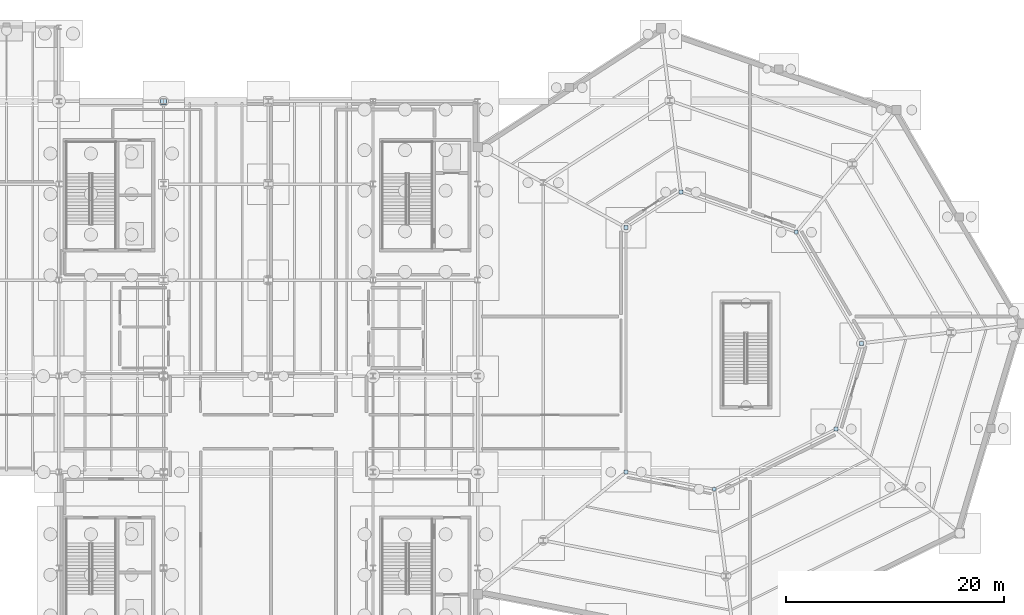
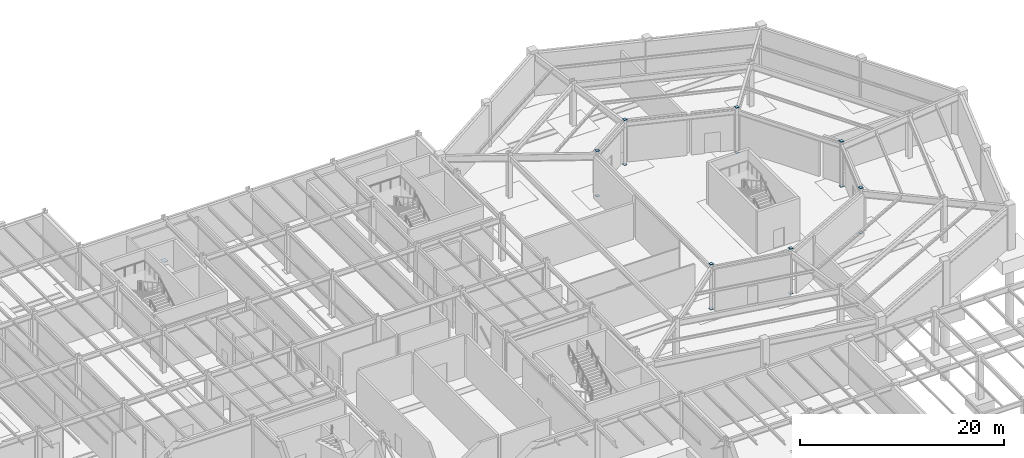
# One storey, part 28 of 48: 15 plates.
"""IFC4 building model written with IfcOpenShell, lengths in metres."""

from ifc_helpers import new_model, si_unit, direction, frame, origin, origin_2d, place, context, subcontext, project, spatial, rectangle, extrude, material, layer, layer_set, type_object, element, save


model = new_model("IFC4")

# Units and contexts
model_context = context("Model", 3, precision=1e-05, world=origin(), true_north=direction((0.0, 1.0)))
body_context = subcontext(model_context, "Body", "Model", "MODEL_VIEW")
ifc_project = project(units=[si_unit("LENGTHUNIT", "METRE"), si_unit("AREAUNIT", "SQUARE_METRE"), si_unit("VOLUMEUNIT", "CUBIC_METRE"), si_unit("PLANEANGLEUNIT", "RADIAN"), si_unit("MASSUNIT", "GRAM", prefix="KILO")], contexts=[model_context])

# Site, building, storey
site_placement = place(None, origin())
site = spatial("IfcSite", under=ifc_project, at=site_placement, CompositionType="ELEMENT")
building_placement = place(site_placement, origin())
building = spatial("IfcBuilding", under=site, at=building_placement, Name="Sarnbrook Museum", CompositionType="ELEMENT")
storey_placement = place(building_placement, frame((0.0, 0.0, -5.39990234375)))
storey = spatial("IfcBuildingStorey", under=building, at=storey_placement, Name="B1", CompositionType="ELEMENT", Elevation=-5.39990234375)

# Plates
ifc_material = material(Name="Structural Steel Grade 350L0 (AS/NZS 3678, fy = 340 MPa for 20 < t <= 40 mm)", Category="steel")
ifc_layer_1 = layer(ifc_material, 0.01611328125)
ifc_layer_set_1 = layer_set([ifc_layer_1], Name="Structural Steel Grade 350L0 (AS/NZS 3678, fy = 340 MPa for 20 < t <= 40 mm)")
plate_type_1 = type_object("IfcPlateType", Name="EndCapPlate_CAP355", PredefinedType="USERDEFINED", material=ifc_layer_set_1)
for number, where, z_axis, x_axis, name in (
    (1, (132.800048828125, 74.405029296875, -0.01611328125), (0.0, 0.0, 1.0), (1.0, 0.0, 0.0), "Hollow End Cap Plate COL:B1:V1R2-0-1"),
    (2, (132.800048828125, 74.405029296875, 5.39990234375), (0.0, 0.0, 1.0), (1.0, 0.0, 0.0), "Hollow End Cap Plate COL:B1:V1R2-0-2"),
    (3, (140.88720703125, 72.828857421875, -0.01611328125), (0.0, 0.0, 1.0), (1.0, 0.0, 0.0), "Hollow End Cap Plate COL:B1:V1R2-1-1"),
    (4, (140.88720703125, 72.828857421875, 5.39990234375), (0.0, 0.0, 1.0), (1.0, 0.0, 0.0), "Hollow End Cap Plate COL:B1:V1R2-1-2"),
    (5, (152.05029296875, 78.356201171875, -0.01611328125), (0.0, 0.0, 1.0), (1.0, 0.0, 0.0), "Hollow End Cap Plate COL:B1:V1R2-2-1"),
    (6, (152.05029296875, 78.356201171875, 5.39990234375), (0.0, 0.0, 1.0), (1.0, 0.0, 0.0), "Hollow End Cap Plate COL:B1:V1R2-2-2"),
    (7, (154.382080078125, 86.210205078125, -0.01611328125), (0.0, 0.0, 1.0), (1.0, 0.0, 0.0), "Hollow End Cap Plate COL:B1:V1R2-3-1"),
    (8, (154.382080078125, 86.210205078125, 5.39990234375), (0.0, 0.0, 1.0), (1.0, 0.0, 0.0), "Hollow End Cap Plate COL:B1:V1R2-3-2"),
    (9, (148.40576171875, 96.39599609375, -0.01611328125), (0.0, 0.0, 1.0), (1.0, 0.0, 0.0), "Hollow End Cap Plate COL:B1:V1R2-4-1"),
    (10, (148.40576171875, 96.39599609375, 5.39990234375), (0.0, 0.0, 1.0), (1.0, 0.0, 0.0), "Hollow End Cap Plate COL:B1:V1R2-4-2"),
    (11, (137.822509765625, 100.07080078125, -0.01611328125), (0.0, 0.0, 1.0), (1.0, 0.0, 0.0), "Hollow End Cap Plate COL:B1:V1R2-5-1"),
    (12, (137.822509765625, 100.07080078125, 5.39990234375), (0.0, 0.0, 1.0), (1.0, 0.0, 0.0), "Hollow End Cap Plate COL:B1:V1R2-5-2"),
    (13, (132.800048828125, 96.81201171875, -0.01611328125), (0.0, 0.0, 1.0), (1.0, 0.0, 0.0), "Hollow End Cap Plate COL:B1:V1R2-6-1"),
    (14, (132.800048828125, 96.81201171875, 5.39990234375), (0.0, 0.0, 1.0), (1.0, 0.0, 0.0), "Hollow End Cap Plate COL:B1:V1R2-6-2"),
):
    element("IfcPlate", number, at=place(storey_placement, frame(where, z_axis=z_axis, x_axis=x_axis)), inside=storey, type_object=plate_type_1, Name=name, ObjectType="END CAP PLATE", PredefinedType="USERDEFINED", context=body_context, shape_type="SweptSolid", body=[
        extrude(rectangle(XDim=0.360107421875, YDim=0.360107421875, at=origin_2d()), origin(), (0.0, 0.0, 1.0), 0.01611328125),
    ])
ifc_layer_2 = layer(ifc_material, 0.031982421875)
ifc_layer_set_2 = layer_set([ifc_layer_2], Name="Structural Steel Grade 350L0 (AS/NZS 3678, fy = 340 MPa for 20 < t <= 40 mm)")
plate_type_2 = type_object("IfcPlateType", Name="SheetPlate_BP1", PredefinedType="SHEET", material=ifc_layer_set_2)
plate_placement = place(storey_placement, frame((90.39990234375, 108.39990234375, 0.0), z_axis=(0.0, 0.0, 1.0), x_axis=(1.0, 0.0, 0.0)))
element("IfcPlate", 15, at=plate_placement, inside=storey, type_object=plate_type_2, Name="Column Base Plate 10-N", PredefinedType="SHEET", context=body_context, shape_type="SweptSolid", body=[
    extrude(rectangle(XDim=0.550048828125, YDim=0.550048828125, at=origin_2d()), origin(), (0.0, 0.0, 1.0), 0.031982421875),
])

save(model, "model.ifc")
